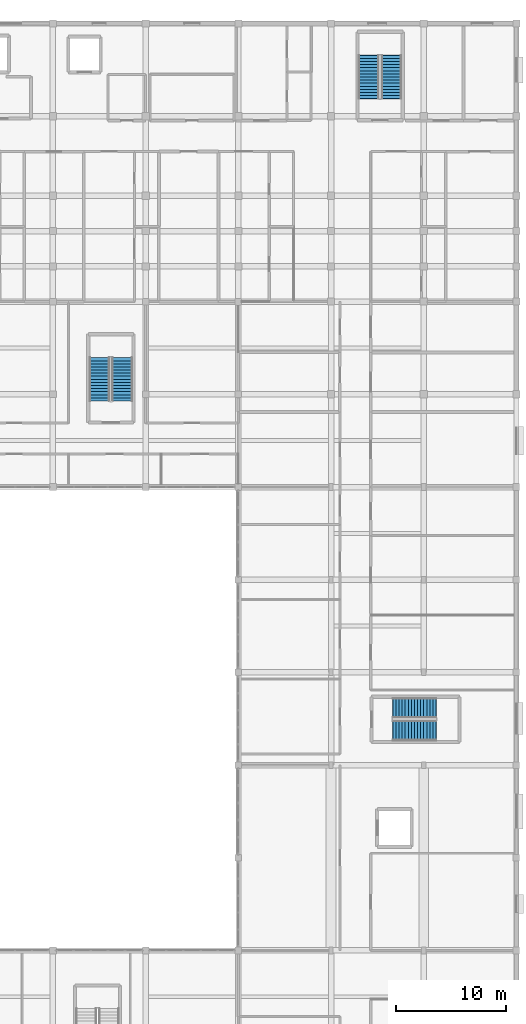
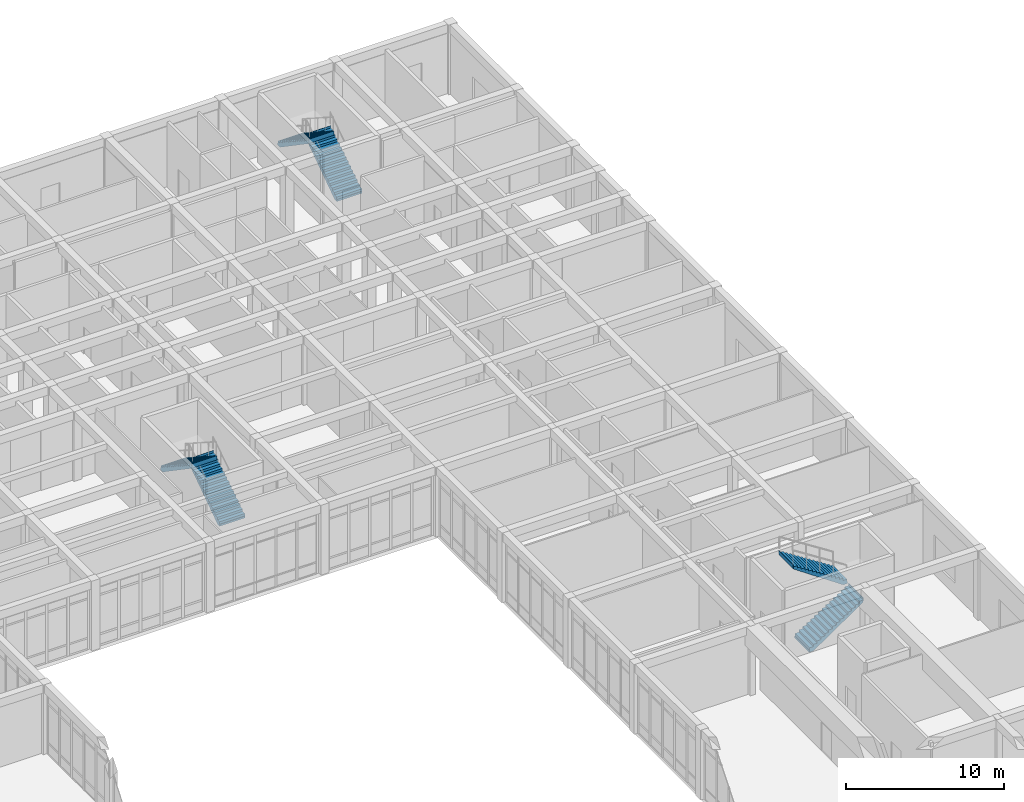
# One storey, part 73 of 89: 6 stair flights, 3 elements without a shape of their own.
"""IFC4 building model written with IfcOpenShell, lengths in metres."""

import ifcopenshell
import ifcopenshell.guid

model = None  # the IFC model being written
_history = None  # IfcOwnerHistory: only IFC2X3 demands one
_inside = {}  # id of a spatial element -> (the spatial element, [elements in it])
_under = {}  # id of a project, library or spatial element -> (it, [spatial elements below it])
_declared = {}  # id of a project -> (the project, [libraries it declares])
_typed = {}  # id of a type object -> (the type object, [elements of that type])
_made_of = {}  # id of a material, layer set ... -> (it, [elements and type objects made of it])


def new_model(schema):
    """Start an empty IFC model of exactly this schema.

    Asked for "IFC4X3", IfcOpenShell would pick the latest addendum, in which some entities
    have other attributes; the version numbers below select the first issue.
    IFC2X3 requires an IfcOwnerHistory on every rooted entity: one is made here for all.
    """
    global model, _history
    if schema == "IFC4X3":
        model = ifcopenshell.file(schema_version=(4, 3, 0, 0))
    else:
        model = ifcopenshell.file(schema=schema)
    _inside.clear()
    _under.clear()
    _declared.clear()
    _typed.clear()
    _made_of.clear()
    _history = None
    if model.schema == "IFC2X3":
        org = make("IfcOrganization", Name="unknown")
        user = make(
            "IfcPersonAndOrganization",
            ThePerson=make("IfcPerson", FamilyName="unknown"),
            TheOrganization=org,
        )
        app = make(
            "IfcApplication",
            ApplicationDeveloper=org,
            Version="unknown",
            ApplicationFullName="unknown",
            ApplicationIdentifier="unknown",
        )
        _history = make(
            "IfcOwnerHistory",
            OwningUser=user,
            OwningApplication=app,
            ChangeAction="ADDED",
            CreationDate=0,
        )
    return model


def make(cls, **values):
    """One entity of the class cls with the attributes given. An attribute that is None is left unset."""
    return model.create_entity(
        cls, **{name: value for name, value in values.items() if value is not None}
    )


def rooted(cls, **values):
    """An entity with a GlobalId (a new one), such as an element, a storey or a relation."""
    return make(cls, GlobalId=ifcopenshell.guid.new(), OwnerHistory=_history, **values)


def si_unit(unit_type, name, prefix=None):
    """IfcSIUnit, for example si_unit("LENGTHUNIT", "METRE", prefix="MILLI")."""
    return make("IfcSIUnit", UnitType=unit_type, Prefix=prefix, Name=name)


def assignment(units):
    """IfcUnitAssignment: the units of a project."""
    return None if units is None else make("IfcUnitAssignment", Units=units)


def point(xyz):
    """IfcCartesianPoint."""
    return None if xyz is None else make("IfcCartesianPoint", Coordinates=xyz)


def direction(xyz):
    """IfcDirection."""
    return None if xyz is None else make("IfcDirection", DirectionRatios=xyz)


def frame(location, z_axis=None, x_axis=None):
    """IfcAxis2Placement3D, a coordinate frame: its origin and axes. An axis left out is left unset."""
    return make(
        "IfcAxis2Placement3D",
        Location=point(location),
        Axis=direction(z_axis),
        RefDirection=direction(x_axis),
    )


def origin():
    """The frame at (0, 0, 0) with its axes left unset."""
    return frame((0.0, 0.0, 0.0))


def place(relative_to, where):
    """IfcLocalPlacement: puts the frame where relative to a parent placement (None: the world)."""
    return make(
        "IfcLocalPlacement", PlacementRelTo=relative_to, RelativePlacement=where
    )


def context(
    kind, dimensions, precision=None, world=None, true_north=None, identifier=None
):
    """IfcGeometricRepresentationContext, for example the 3D "Model" context."""
    return make(
        "IfcGeometricRepresentationContext",
        ContextIdentifier=identifier,
        ContextType=kind,
        CoordinateSpaceDimension=dimensions,
        Precision=precision,
        WorldCoordinateSystem=world,
        TrueNorth=true_north,
    )


def subcontext(parent, identifier, kind, view, scale=None):
    """IfcGeometricRepresentationSubContext, for example "Body" below "Model"."""
    return make(
        "IfcGeometricRepresentationSubContext",
        ContextIdentifier=identifier,
        ContextType=kind,
        ParentContext=parent,
        TargetScale=scale,
        TargetView=view,
    )


def project(units=None, contexts=None):
    """IfcProject with its units and contexts."""
    return rooted(
        "IfcProject",
        Name="project",
        RepresentationContexts=contexts,
        UnitsInContext=assignment(units),
    )


def spatial(cls, under=None, at=None, **own):
    """A site, building, storey or space (cls), placed at a placement, below another one or the project."""
    s = rooted(cls, ObjectPlacement=at, **own)
    if under is not None:
        _under.setdefault(under.id(), (under, []))[1].append(s)
    return s


def polyline(points):
    """IfcPolyline through the points."""
    return make("IfcPolyline", Points=[point(p) for p in points])


def outline(outer, holes=None, kind="AREA"):
    """IfcArbitraryClosedProfileDef: a profile drawn as a closed curve; with holes, ...WithVoids."""
    if holes is None:
        return make("IfcArbitraryClosedProfileDef", ProfileType=kind, OuterCurve=outer)
    return make(
        "IfcArbitraryProfileDefWithVoids",
        ProfileType=kind,
        OuterCurve=outer,
        InnerCurves=holes,
    )


def extrude(swept, where, along, depth):
    """IfcExtrudedAreaSolid: the profile swept, set in the frame where, extruded along a direction by depth."""
    return make(
        "IfcExtrudedAreaSolid",
        SweptArea=swept,
        Position=where,
        ExtrudedDirection=direction(along),
        Depth=depth,
    )


def shape(context_of_items, identifier, shape_type, items):
    """IfcShapeRepresentation: the items that make up one representation, for example the "Body"."""
    return make(
        "IfcShapeRepresentation",
        ContextOfItems=context_of_items,
        RepresentationIdentifier=identifier,
        RepresentationType=shape_type,
        Items=items,
    )


def material(Name=None, Category=None):
    """IfcMaterial."""
    return make("IfcMaterial", Name=Name, Category=Category)


def made_of(thing, what):
    """Note that an element or type object is made of a material, layer set ...; save() writes the relation."""
    if what is not None:
        _made_of.setdefault(what.id(), (what, []))[1].append(thing)
    return thing


def type_object(cls, material=None, **own):
    """A type object (cls), such as IfcWallType, which elements share."""
    return made_of(rooted(cls, **own), material)


def element(
    cls,
    number,
    at=None,
    inside=None,
    cuts=None,
    type_object=None,
    material=None,
    context=None,
    identifier="Body",
    shape_type=None,
    held_by="IfcProductDefinitionShape",
    body=None,
    shapes=None,
    **own,
):
    """One element of the class cls, such as IfcWall. Its Tag is "e" and its number.

    at: its placement. inside: the storey or other place that contains it. cuts: it is an
    opening in that element (IfcRelVoidsElement). A single representation is given by context,
    identifier, shape_type and body (its items); several are given by shapes. held_by: the class
    of the entity that holds the representations. save() writes the other relations.
    """
    e = rooted(cls, Tag="e%d" % number, ObjectPlacement=at, **own)
    if body is not None:
        shapes = [shape(context, identifier, shape_type, body)]
    if shapes is not None:
        e.Representation = make(held_by, Representations=shapes)
    if inside is not None:
        _inside.setdefault(inside.id(), (inside, []))[1].append(e)
    if cuts is not None:
        rooted(
            "IfcRelVoidsElement", RelatingBuildingElement=cuts, RelatedOpeningElement=e
        )
    if type_object is not None:
        _typed.setdefault(type_object.id(), (type_object, []))[1].append(e)
    return made_of(e, material)


def aggregate(whole, parts):
    """IfcRelAggregates: a whole, such as a stair, and the parts it consists of."""
    return rooted("IfcRelAggregates", RelatingObject=whole, RelatedObjects=parts)


def save(model, path):
    """Write the relations noted so far, then the file.

    IfcRelAggregates (storeys below a building ...), IfcRelContainedInSpatialStructure (elements
    in a storey), IfcRelDefinesByType, IfcRelAssociatesMaterial and IfcRelDeclares: one each for
    every whole, place, type object, material and project.
    """
    for whole, parts in _under.values():
        aggregate(whole, parts)
    for where, things in _inside.values():
        rooted(
            "IfcRelContainedInSpatialStructure",
            RelatedElements=things,
            RelatingStructure=where,
        )
    for kind, things in _typed.values():
        rooted("IfcRelDefinesByType", RelatedObjects=things, RelatingType=kind)
    for what, things in _made_of.values():
        rooted("IfcRelAssociatesMaterial", RelatedObjects=things, RelatingMaterial=what)
    for by, libraries in _declared.values():
        rooted("IfcRelDeclares", RelatingContext=by, RelatedDefinitions=libraries)
    model.write(path)


model = new_model("IFC4")

# Units and contexts
model_context = context("Model", 3, precision=1e-05, world=origin(), true_north=direction((0.0, 1.0)))
body_context = subcontext(model_context, "Body", "Model", "MODEL_VIEW")
ifc_project = project(units=[si_unit("LENGTHUNIT", "METRE"), si_unit("AREAUNIT", "SQUARE_METRE"), si_unit("VOLUMEUNIT", "CUBIC_METRE"), si_unit("PLANEANGLEUNIT", "RADIAN"), si_unit("MASSUNIT", "GRAM", prefix="KILO")], contexts=[model_context])

# Site, building, storey
site_placement = place(None, origin())
site = spatial("IfcSite", under=ifc_project, at=site_placement, CompositionType="ELEMENT")
building_placement = place(site_placement, origin())
building = spatial("IfcBuilding", under=site, at=building_placement, Name="Varncliffe General Hospital", CompositionType="ELEMENT")
storey_placement = place(building_placement, frame((0.0, 0.0, 10.800048828125)))
storey = spatial("IfcBuildingStorey", under=building, at=storey_placement, Name="L02", CompositionType="ELEMENT", Elevation=10.800048828125)

# Stair, stair flights
ifc_material = material(Name="Concrete C35/45 (CSA A23.1 35 MPa)", Category="concrete")
stair_type = type_object("IfcStairType", Name="Hospital Stair Assembly ST-T02 (1850w-5400h)", PredefinedType="TWO_STRAIGHT_RUN_STAIR", material=ifc_material)
stair_1_placement = place(storey_placement, origin())
stair_1 = element("IfcStair", 1, at=stair_1_placement, inside=storey, type_object=stair_type, Name="L02 North-East Ward Exit Stair 4", PredefinedType="TWO_STRAIGHT_RUN_STAIR")
stair_flight_type = type_object("IfcStairFlightType", Name="Hospital Stair Flight FL-T02 (1850w-5400h)", PredefinedType="STRAIGHT", material=ifc_material)
stair_flight_1_placement = place(storey_placement, frame((165.074951171875, 118.0, 0.0), z_axis=(0.0, 0.0, 1.0), x_axis=(0.0, 1.0, 0.0)))
stair_flight_1 = element("IfcStairFlight", 2, at=stair_flight_1_placement, type_object=stair_flight_type, Name="ST04 flight 1", NumberOfRisers=15, NumberOfTreads=14, PredefinedType="STRAIGHT", RiserHeight=0.18, TreadLength=0.28, context=body_context, shape_type="SweptSolid", body=[
    extrude(outline(polyline([(-0.02490234375, -0.14990234375), (-0.02490234375, 0.0), (0.0, 0.0), (0.0, 0.179931640625), (0.280029296875, 0.179931640625), (0.280029296875, 0.360107421875), (0.56005859375, 0.360107421875), (0.56005859375, 0.5400390625), (0.840087890625, 0.5400390625), (0.840087890625, 0.719970703125), (1.1201171875, 0.719970703125), (1.1201171875, 0.89990234375), (1.39990234375, 0.89990234375), (1.39990234375, 1.080078125), (1.679931640625, 1.080078125), (1.679931640625, 1.260009765625), (1.9599609375, 1.260009765625), (1.9599609375, 1.43994140625), (2.239990234375, 1.43994140625), (2.239990234375, 1.6201171875), (2.52001953125, 1.6201171875), (2.52001953125, 1.800048828125), (2.800048828125, 1.800048828125), (2.800048828125, 1.97998046875), (3.080078125, 1.97998046875), (3.080078125, 2.159912109375), (3.360107421875, 2.159912109375), (3.360107421875, 2.340087890625), (3.639892578125, 2.340087890625), (3.639892578125, 2.52001953125), (3.919921875, 2.52001953125), (3.919921875, 2.699951171875), (3.94482421875, 2.699951171875), (3.94482421875, 2.550048828125), (3.919921875, 2.341796875), (0.277099609375, -0.14990234375), (-0.02490234375, -0.14990234375)])), frame((0.0, 0.925048828125, 0.0), z_axis=(0.0, -1.0, 0.0), x_axis=(1.0, 0.0, 0.0)), (0.0, 0.0, 1.0), 1.85009765625),
])
stair_flight_2_placement = place(storey_placement, frame((163.02490234375, 121.919921875, 2.699951171875), z_axis=(0.0, 0.0, 1.0), x_axis=(0.0, -1.0, 0.0)))
stair_flight_2 = element("IfcStairFlight", 3, at=stair_flight_2_placement, type_object=stair_flight_type, Name="ST04 flight 2", NumberOfRisers=15, NumberOfTreads=14, PredefinedType="STRAIGHT", RiserHeight=0.18, TreadLength=0.28, context=body_context, shape_type="SweptSolid", body=[
    extrude(outline(polyline([(-0.02490234375, -0.14990234375), (-0.02490234375, 0.0), (0.0, 0.0), (0.0, 0.179931640625), (0.280029296875, 0.179931640625), (0.280029296875, 0.360107421875), (0.56005859375, 0.360107421875), (0.56005859375, 0.5400390625), (0.840087890625, 0.5400390625), (0.840087890625, 0.719970703125), (1.1201171875, 0.719970703125), (1.1201171875, 0.89990234375), (1.39990234375, 0.89990234375), (1.39990234375, 1.080078125), (1.679931640625, 1.080078125), (1.679931640625, 1.260009765625), (1.9599609375, 1.260009765625), (1.9599609375, 1.43994140625), (2.239990234375, 1.43994140625), (2.239990234375, 1.6201171875), (2.52001953125, 1.6201171875), (2.52001953125, 1.800048828125), (2.800048828125, 1.800048828125), (2.800048828125, 1.97998046875), (3.080078125, 1.97998046875), (3.080078125, 2.159912109375), (3.360107421875, 2.159912109375), (3.360107421875, 2.340087890625), (3.639892578125, 2.340087890625), (3.639892578125, 2.52001953125), (3.919921875, 2.52001953125), (3.919921875, 2.699951171875), (3.94482421875, 2.699951171875), (3.94482421875, 2.550048828125), (3.919921875, 2.341796875), (0.277099609375, -0.14990234375), (-0.02490234375, -0.14990234375)])), frame((0.0, 0.925048828125, 0.0), z_axis=(0.0, -1.0, 0.0), x_axis=(1.0, 0.0, 0.0)), (0.0, 0.0, 1.0), 1.85009765625),
])
aggregate(stair_1, [stair_flight_1, stair_flight_2])

stair_2_placement = place(storey_placement, origin())
stair_2 = element("IfcStair", 4, at=stair_2_placement, inside=storey, type_object=stair_type, Name="L02 Outpatient East Exit Stair 7", PredefinedType="TWO_STRAIGHT_RUN_STAIR")
stair_flight_3_placement = place(storey_placement, frame((165.199951171875, 60.72509765625, 0.0), z_axis=(0.0, 0.0, 1.0), x_axis=(1.0, 0.0, 0.0)))
stair_flight_3 = element("IfcStairFlight", 5, at=stair_flight_3_placement, type_object=stair_flight_type, Name="ST07 flight 1", NumberOfRisers=15, NumberOfTreads=14, PredefinedType="STRAIGHT", RiserHeight=0.18, TreadLength=0.28, context=body_context, shape_type="SweptSolid", body=[
    extrude(outline(polyline([(-0.02490234375, -0.14990234375), (-0.02490234375, 0.0), (0.0, 0.0), (0.0, 0.179931640625), (0.280029296875, 0.179931640625), (0.280029296875, 0.360107421875), (0.56005859375, 0.360107421875), (0.56005859375, 0.5400390625), (0.840087890625, 0.5400390625), (0.840087890625, 0.719970703125), (1.1201171875, 0.719970703125), (1.1201171875, 0.89990234375), (1.39990234375, 0.89990234375), (1.39990234375, 1.080078125), (1.679931640625, 1.080078125), (1.679931640625, 1.260009765625), (1.9599609375, 1.260009765625), (1.9599609375, 1.43994140625), (2.239990234375, 1.43994140625), (2.239990234375, 1.6201171875), (2.52001953125, 1.6201171875), (2.52001953125, 1.800048828125), (2.800048828125, 1.800048828125), (2.800048828125, 1.97998046875), (3.080078125, 1.97998046875), (3.080078125, 2.159912109375), (3.360107421875, 2.159912109375), (3.360107421875, 2.340087890625), (3.639892578125, 2.340087890625), (3.639892578125, 2.52001953125), (3.919921875, 2.52001953125), (3.919921875, 2.699951171875), (3.94482421875, 2.699951171875), (3.94482421875, 2.550048828125), (3.919921875, 2.341796875), (0.277099609375, -0.14990234375), (-0.02490234375, -0.14990234375)])), frame((0.0, 0.925048828125, 0.0), z_axis=(0.0, -1.0, 0.0), x_axis=(1.0, 0.0, 0.0)), (0.0, 0.0, 1.0), 1.85009765625),
])
stair_flight_4_placement = place(storey_placement, frame((169.1201171875, 62.77490234375, 2.699951171875), z_axis=(0.0, 0.0, 1.0), x_axis=(-1.0, 0.0, 0.0)))
stair_flight_4 = element("IfcStairFlight", 6, at=stair_flight_4_placement, type_object=stair_flight_type, Name="ST07 flight 2", NumberOfRisers=15, NumberOfTreads=14, PredefinedType="STRAIGHT", RiserHeight=0.18, TreadLength=0.28, context=body_context, shape_type="SweptSolid", body=[
    extrude(outline(polyline([(-0.02490234375, -0.14990234375), (-0.02490234375, 0.0), (0.0, 0.0), (0.0, 0.179931640625), (0.280029296875, 0.179931640625), (0.280029296875, 0.360107421875), (0.56005859375, 0.360107421875), (0.56005859375, 0.5400390625), (0.840087890625, 0.5400390625), (0.840087890625, 0.719970703125), (1.1201171875, 0.719970703125), (1.1201171875, 0.89990234375), (1.39990234375, 0.89990234375), (1.39990234375, 1.080078125), (1.679931640625, 1.080078125), (1.679931640625, 1.260009765625), (1.9599609375, 1.260009765625), (1.9599609375, 1.43994140625), (2.239990234375, 1.43994140625), (2.239990234375, 1.6201171875), (2.52001953125, 1.6201171875), (2.52001953125, 1.800048828125), (2.800048828125, 1.800048828125), (2.800048828125, 1.97998046875), (3.080078125, 1.97998046875), (3.080078125, 2.159912109375), (3.360107421875, 2.159912109375), (3.360107421875, 2.340087890625), (3.639892578125, 2.340087890625), (3.639892578125, 2.52001953125), (3.919921875, 2.52001953125), (3.919921875, 2.699951171875), (3.94482421875, 2.699951171875), (3.94482421875, 2.550048828125), (3.919921875, 2.341796875), (0.277099609375, -0.14990234375), (-0.02490234375, -0.14990234375)])), frame((0.0, 0.925048828125, 0.0), z_axis=(0.0, -1.0, 0.0), x_axis=(1.0, 0.0, 0.0)), (0.0, 0.0, 1.0), 1.85009765625),
])
aggregate(stair_2, [stair_flight_3, stair_flight_4])

stair_3_placement = place(storey_placement, origin())
stair_3 = element("IfcStair", 7, at=stair_3_placement, inside=storey, type_object=stair_type, Name="L02 East-Central Clinical Exit Stair 14", PredefinedType="TWO_STRAIGHT_RUN_STAIR")
stair_flight_5_placement = place(storey_placement, frame((140.675048828125, 90.60009765625, 0.0), z_axis=(0.0, 0.0, 1.0), x_axis=(0.0, 1.0, 0.0)))
stair_flight_5 = element("IfcStairFlight", 8, at=stair_flight_5_placement, type_object=stair_flight_type, Name="ST14 flight 1", NumberOfRisers=15, NumberOfTreads=14, PredefinedType="STRAIGHT", RiserHeight=0.18, TreadLength=0.28, context=body_context, shape_type="SweptSolid", body=[
    extrude(outline(polyline([(-0.02490234375, -0.14990234375), (-0.02490234375, 0.0), (0.0, 0.0), (0.0, 0.179931640625), (0.280029296875, 0.179931640625), (0.280029296875, 0.360107421875), (0.56005859375, 0.360107421875), (0.56005859375, 0.5400390625), (0.840087890625, 0.5400390625), (0.840087890625, 0.719970703125), (1.1201171875, 0.719970703125), (1.1201171875, 0.89990234375), (1.39990234375, 0.89990234375), (1.39990234375, 1.080078125), (1.679931640625, 1.080078125), (1.679931640625, 1.260009765625), (1.9599609375, 1.260009765625), (1.9599609375, 1.43994140625), (2.239990234375, 1.43994140625), (2.239990234375, 1.6201171875), (2.52001953125, 1.6201171875), (2.52001953125, 1.800048828125), (2.800048828125, 1.800048828125), (2.800048828125, 1.97998046875), (3.080078125, 1.97998046875), (3.080078125, 2.159912109375), (3.360107421875, 2.159912109375), (3.360107421875, 2.340087890625), (3.639892578125, 2.340087890625), (3.639892578125, 2.52001953125), (3.919921875, 2.52001953125), (3.919921875, 2.699951171875), (3.94482421875, 2.699951171875), (3.94482421875, 2.550048828125), (3.919921875, 2.341796875), (0.277099609375, -0.14990234375), (-0.02490234375, -0.14990234375)])), frame((0.0, 0.925048828125, 0.0), z_axis=(0.0, -1.0, 0.0), x_axis=(1.0, 0.0, 0.0)), (0.0, 0.0, 1.0), 1.85009765625),
])
stair_flight_6_placement = place(storey_placement, frame((138.625, 94.52001953125, 2.699951171875), z_axis=(0.0, 0.0, 1.0), x_axis=(0.0, -1.0, 0.0)))
stair_flight_6 = element("IfcStairFlight", 9, at=stair_flight_6_placement, type_object=stair_flight_type, Name="ST14 flight 2", NumberOfRisers=15, NumberOfTreads=14, PredefinedType="STRAIGHT", RiserHeight=0.18, TreadLength=0.28, context=body_context, shape_type="SweptSolid", body=[
    extrude(outline(polyline([(-0.02490234375, -0.14990234375), (-0.02490234375, 0.0), (0.0, 0.0), (0.0, 0.179931640625), (0.280029296875, 0.179931640625), (0.280029296875, 0.360107421875), (0.56005859375, 0.360107421875), (0.56005859375, 0.5400390625), (0.840087890625, 0.5400390625), (0.840087890625, 0.719970703125), (1.1201171875, 0.719970703125), (1.1201171875, 0.89990234375), (1.39990234375, 0.89990234375), (1.39990234375, 1.080078125), (1.679931640625, 1.080078125), (1.679931640625, 1.260009765625), (1.9599609375, 1.260009765625), (1.9599609375, 1.43994140625), (2.239990234375, 1.43994140625), (2.239990234375, 1.6201171875), (2.52001953125, 1.6201171875), (2.52001953125, 1.800048828125), (2.800048828125, 1.800048828125), (2.800048828125, 1.97998046875), (3.080078125, 1.97998046875), (3.080078125, 2.159912109375), (3.360107421875, 2.159912109375), (3.360107421875, 2.340087890625), (3.639892578125, 2.340087890625), (3.639892578125, 2.52001953125), (3.919921875, 2.52001953125), (3.919921875, 2.699951171875), (3.94482421875, 2.699951171875), (3.94482421875, 2.550048828125), (3.919921875, 2.341796875), (0.277099609375, -0.14990234375), (-0.02490234375, -0.14990234375)])), frame((0.0, 0.925048828125, 0.0), z_axis=(0.0, -1.0, 0.0), x_axis=(1.0, 0.0, 0.0)), (0.0, 0.0, 1.0), 1.85009765625),
])
aggregate(stair_3, [stair_flight_5, stair_flight_6])

save(model, "model.ifc")
